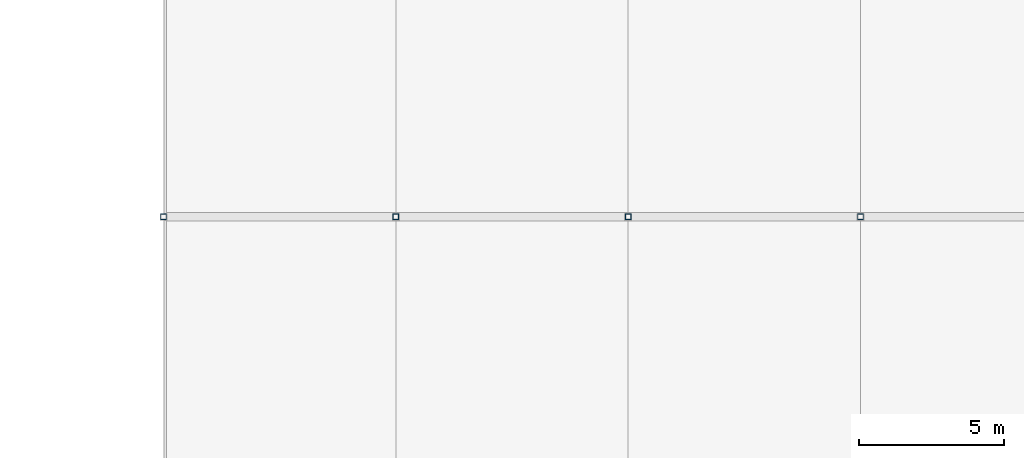
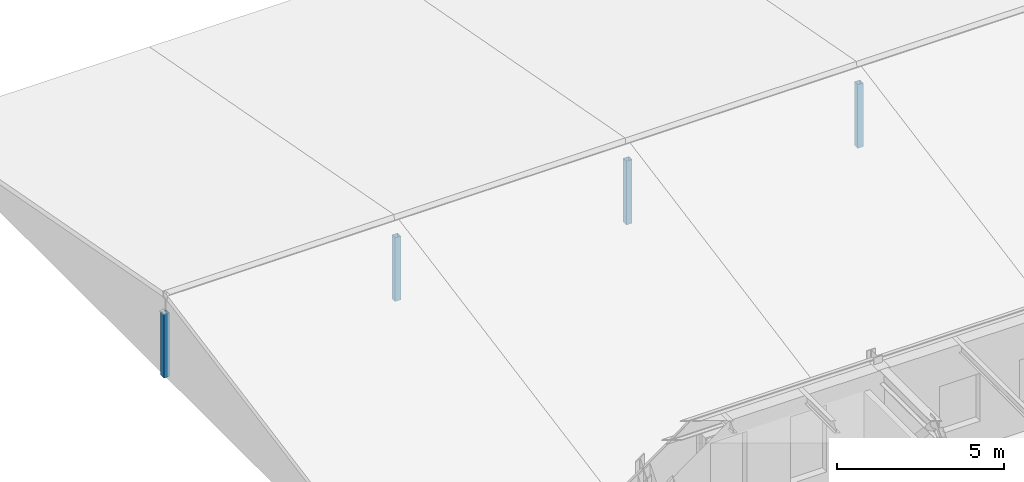
# One storey, part 8 of 63: 4 columns.
"""IFC4 building model written with IfcOpenShell, lengths in metres."""

from ifc_helpers import new_model, si_unit, direction, frame, origin, origin_2d, place, context, subcontext, project, spatial, hollow_rectangle, extrude, material, material_profile, profile_set, type_object, element, save


model = new_model("IFC4")

# Units and contexts
model_context = context("Model", 3, precision=1e-05, world=origin(), true_north=direction((0.0, 1.0)))
body_context = subcontext(model_context, "Body", "Model", "MODEL_VIEW")
ifc_project = project(units=[si_unit("LENGTHUNIT", "METRE"), si_unit("AREAUNIT", "SQUARE_METRE"), si_unit("VOLUMEUNIT", "CUBIC_METRE"), si_unit("PLANEANGLEUNIT", "RADIAN"), si_unit("MASSUNIT", "GRAM", prefix="KILO")], contexts=[model_context])

# Site, building, storey
site_placement = place(None, origin())
site = spatial("IfcSite", under=ifc_project, at=site_placement, CompositionType="ELEMENT")
building_placement = place(site_placement, origin())
building = spatial("IfcBuilding", under=site, at=building_placement, Name="Valkorina Park Police Headquarters", CompositionType="ELEMENT")
storey_placement = place(building_placement, frame((0.0, 0.0, 9.89990234375)))
storey = spatial("IfcBuildingStorey", under=building, at=storey_placement, Name="L03", CompositionType="ELEMENT", Elevation=9.89990234375)

# Columns
ifc_material = material(Name="Steel S355", Category="steel")
ifc_material_profile = material_profile(ifc_material, hollow_rectangle(XDim=0.199951171875, YDim=0.199951171875, WallThickness=0.012451171875, at=origin_2d()), Name="SHS 200x200x12.5")
ifc_profile_set = profile_set([ifc_material_profile], Name="Steel S355")
column_type = type_object("IfcColumnType", Name="COL-S355-SHS200-EXT", PredefinedType="COLUMN", material=ifc_profile_set)
for number, where, z_axis, x_axis, name in (
    (1, (96.800048828125, 96.199951171875, 0.0), (0.0, 0.0, 1.0), (1.0, 0.0, 0.0), "V3 Gymnasium Gable Ridge Column 96"),
    (2, (104.800048828125, 96.199951171875, 0.0), (0.0, 0.0, 1.0), (1.0, 0.0, 0.0), "V3 Gymnasium Gable Ridge Column 104"),
    (3, (112.800048828125, 96.199951171875, 0.0), (0.0, 0.0, 1.0), (1.0, 0.0, 0.0), "V3 Gymnasium Gable Ridge Column 112"),
    (4, (120.800048828125, 96.199951171875, 0.0), (0.0, 0.0, 1.0), (1.0, 0.0, 0.0), "V3 Gymnasium Gable Ridge Column 120"),
):
    element("IfcColumn", number, at=place(storey_placement, frame(where, z_axis=z_axis, x_axis=x_axis)), inside=storey, type_object=column_type, Name=name, PredefinedType="COLUMN", context=body_context, shape_type="SweptSolid", body=[
        extrude(hollow_rectangle(XDim=0.199951171875, YDim=0.199951171875, WallThickness=0.012451171875, at=origin_2d()), origin(), (0.0, 0.0, 1.0), 2.3251953125),
    ])

save(model, "model.ifc")
